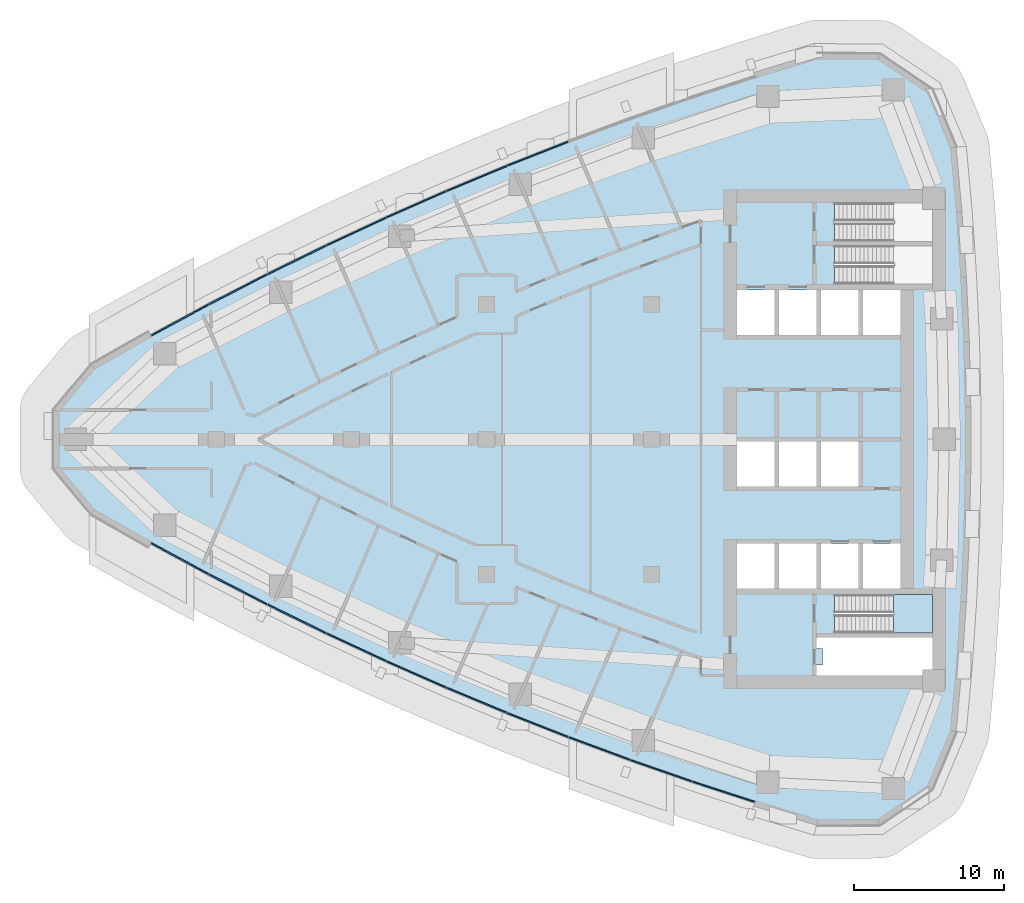
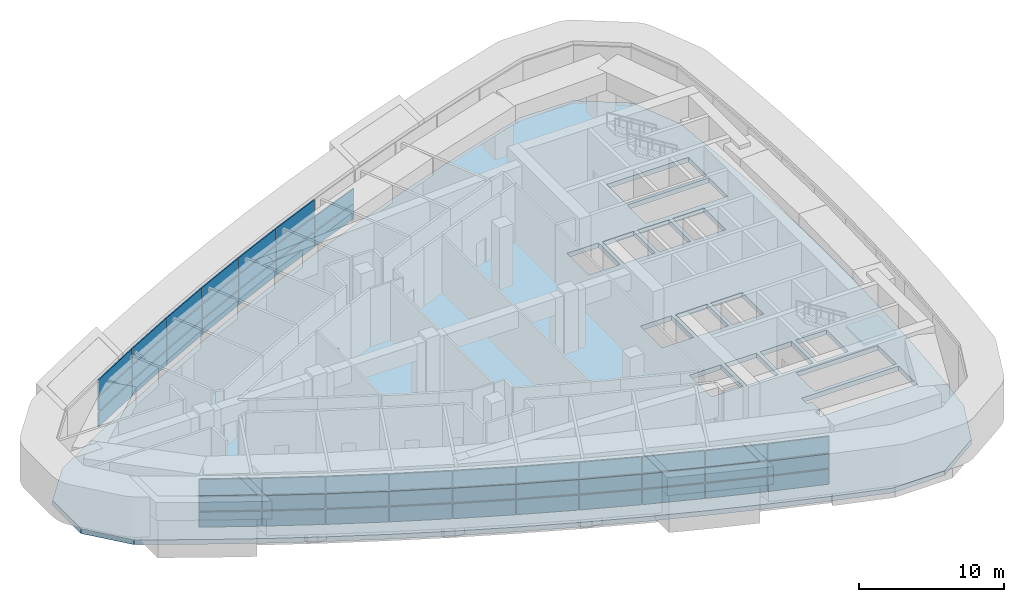
# One storey, part 9 of 18: 50 plates, 2 slabs, 1 opening, 10 elements without a shape of their own.
"""IFC4 building model written with IfcOpenShell, lengths in metres."""

from ifc_helpers import new_model, si_unit, direction, frame, origin, origin_2d, place, context, subcontext, project, spatial, polyline, rectangle, outline, extrude, material, layer, layer_set, type_object, element, aggregate, save


model = new_model("IFC4")

# Units and contexts
model_context = context("Model", 3, precision=1e-05, world=origin(), true_north=direction((0.0, 1.0)))
body_context = subcontext(model_context, "Body", "Model", "MODEL_VIEW")
ifc_project = project(units=[si_unit("LENGTHUNIT", "METRE"), si_unit("AREAUNIT", "SQUARE_METRE"), si_unit("VOLUMEUNIT", "CUBIC_METRE"), si_unit("PLANEANGLEUNIT", "RADIAN"), si_unit("MASSUNIT", "GRAM", prefix="KILO")], contexts=[model_context])

# Site, building, storey
site_placement = place(None, origin())
site = spatial("IfcSite", under=ifc_project, at=site_placement, CompositionType="ELEMENT")
building_placement = place(site_placement, origin())
building = spatial("IfcBuilding", under=site, at=building_placement, Name="Ostrand Prow Hotel Tower", CompositionType="ELEMENT")
storey_placement = place(building_placement, frame((0.0, 0.0, 165.699951171875)))
storey = spatial("IfcBuildingStorey", under=building, at=storey_placement, Name="L41", CompositionType="ELEMENT", Elevation=165.699951171875)

# Curtain wall, plates
ifc_material_1 = material(Name="Insulated glass in bronze anodised frame", Category="glass")
ifc_layer_1 = layer(ifc_material_1, 0.199951171875)
ifc_layer_set_1 = layer_set([ifc_layer_1], Name="Insulated glass in bronze anodised frame")
curtain_wall_type = type_object("IfcCurtainWallType", Name="Plant storey louvre wall", PredefinedType="NOTDEFINED", material=ifc_layer_set_1)
curtain_wall_1_placement = place(storey_placement, origin())
curtain_wall_1 = element("IfcCurtainWall", 1, at=curtain_wall_1_placement, inside=storey, type_object=curtain_wall_type, Name="CW7 run CWS1", PredefinedType="NOTDEFINED")
ifc_material_2 = material(Name="Bronze anodised aluminium louvre", Category="aluminium")
ifc_layer_2 = layer(ifc_material_2, 0.10009765625)
ifc_layer_set_2 = layer_set([ifc_layer_2], Name="Bronze anodised aluminium louvre")
plate_type = type_object("IfcPlateType", Name="Bronze louvre panel 100 mm", PredefinedType="CURTAIN_PANEL", material=ifc_layer_set_2)
plate_1_placement = place(storey_placement, frame((13.572509765625, -7.951904296875, 0.89990234375), z_axis=(0.0, 0.0, 1.0), x_axis=(0.879773060847, -0.475393901316, 0.0)))
plate_1 = element("IfcPlate", 2, at=plate_1_placement, type_object=plate_type, Name="CW7 PN-V panel 1.1", PredefinedType="CURTAIN_PANEL", context=body_context, shape_type="SweptSolid", body=[
    extrude(rectangle(XDim=4.326171875, YDim=0.10009765625, at=origin_2d()), origin(), (0.0, 0.0, 1.0), 1.239990234375),
])
plate_2_placement = place(storey_placement, frame((13.572509765625, -7.951904296875, 2.26025390625), z_axis=(0.0, 0.0, 1.0), x_axis=(0.879773060847, -0.475393901316, 0.0)))
plate_2 = element("IfcPlate", 3, at=plate_2_placement, type_object=plate_type, Name="CW7 PN-V panel 1.2", PredefinedType="CURTAIN_PANEL", context=body_context, shape_type="SweptSolid", body=[
    extrude(rectangle(XDim=4.326171875, YDim=0.10009765625, at=origin_2d()), origin(), (0.0, 0.0, 1.0), 1.179931640625),
])
plate_3_placement = place(storey_placement, frame((13.572509765625, -7.951904296875, 3.56005859375), z_axis=(0.0, 0.0, 1.0), x_axis=(0.879773060847, -0.475393901316, 0.0)))
plate_3 = element("IfcPlate", 4, at=plate_3_placement, type_object=plate_type, Name="CW7 PN-V panel 1.3", PredefinedType="CURTAIN_PANEL", context=body_context, shape_type="SweptSolid", body=[
    extrude(rectangle(XDim=4.326171875, YDim=0.10009765625, at=origin_2d()), origin(), (0.0, 0.0, 1.0), 1.340087890625),
])
plate_4_placement = place(storey_placement, frame((17.45166015625, -9.998046875, 0.89990234375), z_axis=(0.0, 0.0, 1.0), x_axis=(0.889148164146, -0.457619429434, 0.0)))
plate_4 = element("IfcPlate", 5, at=plate_4_placement, type_object=plate_type, Name="CW7 PN-V panel 2.1", PredefinedType="CURTAIN_PANEL", context=body_context, shape_type="SweptSolid", body=[
    extrude(rectangle(XDim=4.326171875, YDim=0.10009765625, at=origin_2d()), origin(), (0.0, 0.0, 1.0), 1.239990234375),
])
plate_5_placement = place(storey_placement, frame((17.45166015625, -9.998046875, 2.26025390625), z_axis=(0.0, 0.0, 1.0), x_axis=(0.889148164146, -0.457619429434, 0.0)))
plate_5 = element("IfcPlate", 6, at=plate_5_placement, type_object=plate_type, Name="CW7 PN-V panel 2.2", PredefinedType="CURTAIN_PANEL", context=body_context, shape_type="SweptSolid", body=[
    extrude(rectangle(XDim=4.326171875, YDim=0.10009765625, at=origin_2d()), origin(), (0.0, 0.0, 1.0), 1.179931640625),
])
plate_6_placement = place(storey_placement, frame((17.45166015625, -9.998046875, 3.56005859375), z_axis=(0.0, 0.0, 1.0), x_axis=(0.889148164146, -0.457619429434, 0.0)))
plate_6 = element("IfcPlate", 7, at=plate_6_placement, type_object=plate_type, Name="CW7 PN-V panel 2.3", PredefinedType="CURTAIN_PANEL", context=body_context, shape_type="SweptSolid", body=[
    extrude(rectangle(XDim=4.326171875, YDim=0.10009765625, at=origin_2d()), origin(), (0.0, 0.0, 1.0), 1.340087890625),
])
aggregate(curtain_wall_1, [plate_1, plate_2, plate_3, plate_4, plate_5, plate_6])

curtain_wall_2_placement = place(storey_placement, origin())
curtain_wall_2 = element("IfcCurtainWall", 8, at=curtain_wall_2_placement, inside=storey, type_object=curtain_wall_type, Name="CW7 run CWS2", PredefinedType="NOTDEFINED")
plate_7_placement = place(storey_placement, frame((21.371337890625, -11.9658203125, 0.89990234375), z_axis=(0.0, 0.0, 1.0), x_axis=(0.898164975061, -0.439658592061, 0.0)))
plate_7 = element("IfcPlate", 9, at=plate_7_placement, type_object=plate_type, Name="CW7 PN-V panel 1.1", PredefinedType="CURTAIN_PANEL", context=body_context, shape_type="SweptSolid", body=[
    extrude(rectangle(XDim=4.326171875, YDim=0.10009765625, at=origin_2d()), origin(), (0.0, 0.0, 1.0), 1.239990234375),
])
plate_8_placement = place(storey_placement, frame((21.371337890625, -11.9658203125, 2.26025390625), z_axis=(0.0, 0.0, 1.0), x_axis=(0.898164975061, -0.439658592061, 0.0)))
plate_8 = element("IfcPlate", 10, at=plate_8_placement, type_object=plate_type, Name="CW7 PN-V panel 1.2", PredefinedType="CURTAIN_PANEL", context=body_context, shape_type="SweptSolid", body=[
    extrude(rectangle(XDim=4.326171875, YDim=0.10009765625, at=origin_2d()), origin(), (0.0, 0.0, 1.0), 1.179931640625),
])
plate_9_placement = place(storey_placement, frame((21.371337890625, -11.9658203125, 3.56005859375), z_axis=(0.0, 0.0, 1.0), x_axis=(0.898164975061, -0.439658592061, 0.0)))
plate_9 = element("IfcPlate", 11, at=plate_9_placement, type_object=plate_type, Name="CW7 PN-V panel 1.3", PredefinedType="CURTAIN_PANEL", context=body_context, shape_type="SweptSolid", body=[
    extrude(rectangle(XDim=4.326171875, YDim=0.10009765625, at=origin_2d()), origin(), (0.0, 0.0, 1.0), 1.340087890625),
])
plate_10_placement = place(storey_placement, frame((25.329833984375, -13.8544921875, 0.89990234375), z_axis=(0.0, 0.0, 1.0), x_axis=(0.906818286337, -0.421521761673, 0.0)))
plate_10 = element("IfcPlate", 12, at=plate_10_placement, type_object=plate_type, Name="CW7 PN-V panel 2.1", PredefinedType="CURTAIN_PANEL", context=body_context, shape_type="SweptSolid", body=[
    extrude(rectangle(XDim=4.326171875, YDim=0.10009765625, at=origin_2d()), origin(), (0.0, 0.0, 1.0), 1.239990234375),
])
plate_11_placement = place(storey_placement, frame((25.329833984375, -13.8544921875, 2.26025390625), z_axis=(0.0, 0.0, 1.0), x_axis=(0.906818286337, -0.421521761673, 0.0)))
plate_11 = element("IfcPlate", 13, at=plate_11_placement, type_object=plate_type, Name="CW7 PN-V panel 2.2", PredefinedType="CURTAIN_PANEL", context=body_context, shape_type="SweptSolid", body=[
    extrude(rectangle(XDim=4.326171875, YDim=0.10009765625, at=origin_2d()), origin(), (0.0, 0.0, 1.0), 1.179931640625),
])
plate_12_placement = place(storey_placement, frame((25.329833984375, -13.8544921875, 3.56005859375), z_axis=(0.0, 0.0, 1.0), x_axis=(0.906818286337, -0.421521761673, 0.0)))
plate_12 = element("IfcPlate", 14, at=plate_12_placement, type_object=plate_type, Name="CW7 PN-V panel 2.3", PredefinedType="CURTAIN_PANEL", context=body_context, shape_type="SweptSolid", body=[
    extrude(rectangle(XDim=4.326171875, YDim=0.10009765625, at=origin_2d()), origin(), (0.0, 0.0, 1.0), 1.340087890625),
])
aggregate(curtain_wall_2, [plate_7, plate_8, plate_9, plate_10, plate_11, plate_12])

curtain_wall_3_placement = place(storey_placement, origin())
curtain_wall_3 = element("IfcCurtainWall", 15, at=curtain_wall_3_placement, inside=storey, type_object=curtain_wall_type, Name="CW7 run CWS3", PredefinedType="NOTDEFINED")
plate_13_placement = place(storey_placement, frame((29.3251953125, -15.6630859375, 0.89990234375), z_axis=(0.0, 0.0, 1.0), x_axis=(0.915106105993, -0.403213113347, 0.0)))
plate_13 = element("IfcPlate", 16, at=plate_13_placement, type_object=plate_type, Name="CW7 PN-V panel 1.1", PredefinedType="CURTAIN_PANEL", context=body_context, shape_type="SweptSolid", body=[
    extrude(rectangle(XDim=4.326171875, YDim=0.10009765625, at=origin_2d()), origin(), (0.0, 0.0, 1.0), 1.239990234375),
])
plate_14_placement = place(storey_placement, frame((29.3251953125, -15.6630859375, 2.26025390625), z_axis=(0.0, 0.0, 1.0), x_axis=(0.915106105993, -0.403213113347, 0.0)))
plate_14 = element("IfcPlate", 17, at=plate_14_placement, type_object=plate_type, Name="CW7 PN-V panel 1.2", PredefinedType="CURTAIN_PANEL", context=body_context, shape_type="SweptSolid", body=[
    extrude(rectangle(XDim=4.326171875, YDim=0.10009765625, at=origin_2d()), origin(), (0.0, 0.0, 1.0), 1.179931640625),
])
plate_15_placement = place(storey_placement, frame((29.3251953125, -15.6630859375, 3.56005859375), z_axis=(0.0, 0.0, 1.0), x_axis=(0.915106105993, -0.403213113347, 0.0)))
plate_15 = element("IfcPlate", 18, at=plate_15_placement, type_object=plate_type, Name="CW7 PN-V panel 1.3", PredefinedType="CURTAIN_PANEL", context=body_context, shape_type="SweptSolid", body=[
    extrude(rectangle(XDim=4.326171875, YDim=0.10009765625, at=origin_2d()), origin(), (0.0, 0.0, 1.0), 1.340087890625),
])
plate_16_placement = place(storey_placement, frame((33.3564453125, -17.39111328125, 0.89990234375), z_axis=(0.0, 0.0, 1.0), x_axis=(0.92302364777, -0.384743220418, 0.0)))
plate_16 = element("IfcPlate", 19, at=plate_16_placement, type_object=plate_type, Name="CW7 PN-V panel 2.1", PredefinedType="CURTAIN_PANEL", context=body_context, shape_type="SweptSolid", body=[
    extrude(rectangle(XDim=4.326171875, YDim=0.10009765625, at=origin_2d()), origin(), (0.0, 0.0, 1.0), 1.239990234375),
])
plate_17_placement = place(storey_placement, frame((33.3564453125, -17.39111328125, 2.26025390625), z_axis=(0.0, 0.0, 1.0), x_axis=(0.92302364777, -0.384743220418, 0.0)))
plate_17 = element("IfcPlate", 20, at=plate_17_placement, type_object=plate_type, Name="CW7 PN-V panel 2.2", PredefinedType="CURTAIN_PANEL", context=body_context, shape_type="SweptSolid", body=[
    extrude(rectangle(XDim=4.326171875, YDim=0.10009765625, at=origin_2d()), origin(), (0.0, 0.0, 1.0), 1.179931640625),
])
plate_18_placement = place(storey_placement, frame((33.3564453125, -17.39111328125, 3.56005859375), z_axis=(0.0, 0.0, 1.0), x_axis=(0.92302364777, -0.384743220418, 0.0)))
plate_18 = element("IfcPlate", 21, at=plate_18_placement, type_object=plate_type, Name="CW7 PN-V panel 2.3", PredefinedType="CURTAIN_PANEL", context=body_context, shape_type="SweptSolid", body=[
    extrude(rectangle(XDim=4.326171875, YDim=0.10009765625, at=origin_2d()), origin(), (0.0, 0.0, 1.0), 1.340087890625),
])
aggregate(curtain_wall_3, [plate_13, plate_14, plate_15, plate_16, plate_17, plate_18])

curtain_wall_4_placement = place(storey_placement, origin())
curtain_wall_4 = element("IfcCurtainWall", 22, at=curtain_wall_4_placement, inside=storey, type_object=curtain_wall_type, Name="CW7 run CWS4", PredefinedType="NOTDEFINED")
plate_19_placement = place(storey_placement, frame((37.42138671875, -19.037841796875, 0.89990234375), z_axis=(0.0, 0.0, 1.0), x_axis=(0.930569089059, -0.366116334636, 0.0)))
plate_19 = element("IfcPlate", 23, at=plate_19_placement, type_object=plate_type, Name="CW7 PN-V panel 1.1", PredefinedType="CURTAIN_PANEL", context=body_context, shape_type="SweptSolid", body=[
    extrude(rectangle(XDim=4.326171875, YDim=0.10009765625, at=origin_2d()), origin(), (0.0, 0.0, 1.0), 1.239990234375),
])
plate_20_placement = place(storey_placement, frame((37.42138671875, -19.037841796875, 2.26025390625), z_axis=(0.0, 0.0, 1.0), x_axis=(0.930569089059, -0.366116334636, 0.0)))
plate_20 = element("IfcPlate", 24, at=plate_20_placement, type_object=plate_type, Name="CW7 PN-V panel 1.2", PredefinedType="CURTAIN_PANEL", context=body_context, shape_type="SweptSolid", body=[
    extrude(rectangle(XDim=4.326171875, YDim=0.10009765625, at=origin_2d()), origin(), (0.0, 0.0, 1.0), 1.179931640625),
])
plate_21_placement = place(storey_placement, frame((37.42138671875, -19.037841796875, 3.56005859375), z_axis=(0.0, 0.0, 1.0), x_axis=(0.930569089059, -0.366116334636, 0.0)))
plate_21 = element("IfcPlate", 25, at=plate_21_placement, type_object=plate_type, Name="CW7 PN-V panel 1.3", PredefinedType="CURTAIN_PANEL", context=body_context, shape_type="SweptSolid", body=[
    extrude(rectangle(XDim=4.326171875, YDim=0.10009765625, at=origin_2d()), origin(), (0.0, 0.0, 1.0), 1.340087890625),
])
plate_22_placement = place(storey_placement, frame((41.518798828125, -20.6025390625, 0.89990234375), z_axis=(0.0, 0.0, 1.0), x_axis=(0.937738678558, -0.347341576459, 0.0)))
plate_22 = element("IfcPlate", 26, at=plate_22_placement, type_object=plate_type, Name="CW7 PN-V panel 2.1", PredefinedType="CURTAIN_PANEL", context=body_context, shape_type="SweptSolid", body=[
    extrude(rectangle(XDim=4.326171875, YDim=0.10009765625, at=origin_2d()), origin(), (0.0, 0.0, 1.0), 1.239990234375),
])
plate_23_placement = place(storey_placement, frame((41.518798828125, -20.6025390625, 2.26025390625), z_axis=(0.0, 0.0, 1.0), x_axis=(0.937738678558, -0.347341576459, 0.0)))
plate_23 = element("IfcPlate", 27, at=plate_23_placement, type_object=plate_type, Name="CW7 PN-V panel 2.2", PredefinedType="CURTAIN_PANEL", context=body_context, shape_type="SweptSolid", body=[
    extrude(rectangle(XDim=4.326171875, YDim=0.10009765625, at=origin_2d()), origin(), (0.0, 0.0, 1.0), 1.179931640625),
])
plate_24_placement = place(storey_placement, frame((41.518798828125, -20.6025390625, 3.56005859375), z_axis=(0.0, 0.0, 1.0), x_axis=(0.937738678558, -0.347341576459, 0.0)))
plate_24 = element("IfcPlate", 28, at=plate_24_placement, type_object=plate_type, Name="CW7 PN-V panel 2.3", PredefinedType="CURTAIN_PANEL", context=body_context, shape_type="SweptSolid", body=[
    extrude(rectangle(XDim=4.326171875, YDim=0.10009765625, at=origin_2d()), origin(), (0.0, 0.0, 1.0), 1.340087890625),
])
aggregate(curtain_wall_4, [plate_19, plate_20, plate_21, plate_22, plate_23, plate_24])

curtain_wall_5_placement = place(storey_placement, origin())
curtain_wall_5 = element("IfcCurtainWall", 29, at=curtain_wall_5_placement, inside=storey, type_object=curtain_wall_type, Name="CW7 run CWS5", PredefinedType="NOTDEFINED")
plate_25_placement = place(storey_placement, frame((45.646484375, -22.08447265625, 0.89990234375), z_axis=(0.0, 0.0, 1.0), x_axis=(0.944528947293, -0.328428177424, 0.0)))
plate_25 = element("IfcPlate", 30, at=plate_25_placement, type_object=plate_type, Name="CW7 PN-V panel 1.1", PredefinedType="CURTAIN_PANEL", context=body_context, shape_type="SweptSolid", body=[
    extrude(rectangle(XDim=4.326171875, YDim=0.10009765625, at=origin_2d()), origin(), (0.0, 0.0, 1.0), 1.239990234375),
])
plate_26_placement = place(storey_placement, frame((45.646484375, -22.08447265625, 2.26025390625), z_axis=(0.0, 0.0, 1.0), x_axis=(0.944528947293, -0.328428177424, 0.0)))
plate_26 = element("IfcPlate", 31, at=plate_26_placement, type_object=plate_type, Name="CW7 PN-V panel 1.2", PredefinedType="CURTAIN_PANEL", context=body_context, shape_type="SweptSolid", body=[
    extrude(rectangle(XDim=4.326171875, YDim=0.10009765625, at=origin_2d()), origin(), (0.0, 0.0, 1.0), 1.179931640625),
])
plate_27_placement = place(storey_placement, frame((45.646484375, -22.08447265625, 3.56005859375), z_axis=(0.0, 0.0, 1.0), x_axis=(0.944528947293, -0.328428177424, 0.0)))
plate_27 = element("IfcPlate", 32, at=plate_27_placement, type_object=plate_type, Name="CW7 PN-V panel 1.3", PredefinedType="CURTAIN_PANEL", context=body_context, shape_type="SweptSolid", body=[
    extrude(rectangle(XDim=4.326171875, YDim=0.10009765625, at=origin_2d()), origin(), (0.0, 0.0, 1.0), 1.340087890625),
])
plate_28_placement = place(storey_placement, frame((49.803466796875, -23.483154296875, 0.89990234375), z_axis=(0.0, 0.0, 1.0), x_axis=(0.950938332153, -0.309380491373, 0.0)))
plate_28 = element("IfcPlate", 33, at=plate_28_placement, type_object=plate_type, Name="CW7 PN-V panel 2.1", PredefinedType="CURTAIN_PANEL", context=body_context, shape_type="SweptSolid", body=[
    extrude(rectangle(XDim=4.326171875, YDim=0.10009765625, at=origin_2d()), origin(), (0.0, 0.0, 1.0), 1.239990234375),
])
plate_29_placement = place(storey_placement, frame((49.803466796875, -23.483154296875, 2.26025390625), z_axis=(0.0, 0.0, 1.0), x_axis=(0.950938332153, -0.309380491373, 0.0)))
plate_29 = element("IfcPlate", 34, at=plate_29_placement, type_object=plate_type, Name="CW7 PN-V panel 2.2", PredefinedType="CURTAIN_PANEL", context=body_context, shape_type="SweptSolid", body=[
    extrude(rectangle(XDim=4.326171875, YDim=0.10009765625, at=origin_2d()), origin(), (0.0, 0.0, 1.0), 1.179931640625),
])
plate_30_placement = place(storey_placement, frame((49.803466796875, -23.483154296875, 3.56005859375), z_axis=(0.0, 0.0, 1.0), x_axis=(0.950938332153, -0.309380491373, 0.0)))
plate_30 = element("IfcPlate", 35, at=plate_30_placement, type_object=plate_type, Name="CW7 PN-V panel 2.3", PredefinedType="CURTAIN_PANEL", context=body_context, shape_type="SweptSolid", body=[
    extrude(rectangle(XDim=4.326171875, YDim=0.10009765625, at=origin_2d()), origin(), (0.0, 0.0, 1.0), 1.340087890625),
])
aggregate(curtain_wall_5, [plate_25, plate_26, plate_27, plate_28, plate_29, plate_30])

curtain_wall_6_placement = place(storey_placement, origin())
curtain_wall_6 = element("IfcCurtainWall", 36, at=curtain_wall_6_placement, inside=storey, type_object=curtain_wall_type, Name="CW7 run CWN2", PredefinedType="NOTDEFINED")
plate_31_placement = place(storey_placement, frame((37.42138671875, 19.037841796875, 0.89990234375), z_axis=(0.0, 0.0, 1.0), x_axis=(-0.930569089059, -0.366116334636, 0.0)))
plate_31 = element("IfcPlate", 37, at=plate_31_placement, type_object=plate_type, Name="CW7 PN-V panel 2.1", PredefinedType="CURTAIN_PANEL", context=body_context, shape_type="SweptSolid", body=[
    extrude(rectangle(XDim=4.326171875, YDim=0.10009765625, at=origin_2d()), origin(), (0.0, 0.0, 1.0), 1.239990234375),
])
plate_32_placement = place(storey_placement, frame((37.42138671875, 19.037841796875, 2.26025390625), z_axis=(0.0, 0.0, 1.0), x_axis=(-0.930569089059, -0.366116334636, 0.0)))
plate_32 = element("IfcPlate", 38, at=plate_32_placement, type_object=plate_type, Name="CW7 PN-V panel 2.2", PredefinedType="CURTAIN_PANEL", context=body_context, shape_type="SweptSolid", body=[
    extrude(rectangle(XDim=4.326171875, YDim=0.10009765625, at=origin_2d()), origin(), (0.0, 0.0, 1.0), 1.179931640625),
])
aggregate(curtain_wall_6, [plate_31, plate_32])

curtain_wall_7_placement = place(storey_placement, origin())
curtain_wall_7 = element("IfcCurtainWall", 39, at=curtain_wall_7_placement, inside=storey, type_object=curtain_wall_type, Name="CW7 run CWN3", PredefinedType="NOTDEFINED")
plate_33_placement = place(storey_placement, frame((33.3564453125, 17.39111328125, 0.89990234375), z_axis=(0.0, 0.0, 1.0), x_axis=(-0.92302364777, -0.384743220418, 0.0)))
plate_33 = element("IfcPlate", 40, at=plate_33_placement, type_object=plate_type, Name="CW7 PN-V panel 1.1", PredefinedType="CURTAIN_PANEL", context=body_context, shape_type="SweptSolid", body=[
    extrude(rectangle(XDim=4.326171875, YDim=0.10009765625, at=origin_2d()), origin(), (0.0, 0.0, 1.0), 1.239990234375),
])
plate_34_placement = place(storey_placement, frame((33.3564453125, 17.39111328125, 2.26025390625), z_axis=(0.0, 0.0, 1.0), x_axis=(-0.92302364777, -0.384743220418, 0.0)))
plate_34 = element("IfcPlate", 41, at=plate_34_placement, type_object=plate_type, Name="CW7 PN-V panel 1.2", PredefinedType="CURTAIN_PANEL", context=body_context, shape_type="SweptSolid", body=[
    extrude(rectangle(XDim=4.326171875, YDim=0.10009765625, at=origin_2d()), origin(), (0.0, 0.0, 1.0), 1.179931640625),
])
plate_35_placement = place(storey_placement, frame((33.3564453125, 17.39111328125, 3.56005859375), z_axis=(0.0, 0.0, 1.0), x_axis=(-0.92302364777, -0.384743220418, 0.0)))
plate_35 = element("IfcPlate", 42, at=plate_35_placement, type_object=plate_type, Name="CW7 PN-V panel 1.3", PredefinedType="CURTAIN_PANEL", context=body_context, shape_type="SweptSolid", body=[
    extrude(rectangle(XDim=4.326171875, YDim=0.10009765625, at=origin_2d()), origin(), (0.0, 0.0, 1.0), 1.340087890625),
])
plate_36_placement = place(storey_placement, frame((29.3251953125, 15.6630859375, 0.89990234375), z_axis=(0.0, 0.0, 1.0), x_axis=(-0.915106105993, -0.403213113347, 0.0)))
plate_36 = element("IfcPlate", 43, at=plate_36_placement, type_object=plate_type, Name="CW7 PN-V panel 2.1", PredefinedType="CURTAIN_PANEL", context=body_context, shape_type="SweptSolid", body=[
    extrude(rectangle(XDim=4.326171875, YDim=0.10009765625, at=origin_2d()), origin(), (0.0, 0.0, 1.0), 1.239990234375),
])
plate_37_placement = place(storey_placement, frame((29.3251953125, 15.6630859375, 2.26025390625), z_axis=(0.0, 0.0, 1.0), x_axis=(-0.915106105993, -0.403213113347, 0.0)))
plate_37 = element("IfcPlate", 44, at=plate_37_placement, type_object=plate_type, Name="CW7 PN-V panel 2.2", PredefinedType="CURTAIN_PANEL", context=body_context, shape_type="SweptSolid", body=[
    extrude(rectangle(XDim=4.326171875, YDim=0.10009765625, at=origin_2d()), origin(), (0.0, 0.0, 1.0), 1.179931640625),
])
plate_38_placement = place(storey_placement, frame((29.3251953125, 15.6630859375, 3.56005859375), z_axis=(0.0, 0.0, 1.0), x_axis=(-0.915106105993, -0.403213113347, 0.0)))
plate_38 = element("IfcPlate", 45, at=plate_38_placement, type_object=plate_type, Name="CW7 PN-V panel 2.3", PredefinedType="CURTAIN_PANEL", context=body_context, shape_type="SweptSolid", body=[
    extrude(rectangle(XDim=4.326171875, YDim=0.10009765625, at=origin_2d()), origin(), (0.0, 0.0, 1.0), 1.340087890625),
])
aggregate(curtain_wall_7, [plate_33, plate_34, plate_35, plate_36, plate_37, plate_38])

curtain_wall_8_placement = place(storey_placement, origin())
curtain_wall_8 = element("IfcCurtainWall", 46, at=curtain_wall_8_placement, inside=storey, type_object=curtain_wall_type, Name="CW7 run CWN4", PredefinedType="NOTDEFINED")
plate_39_placement = place(storey_placement, frame((25.329833984375, 13.8544921875, 0.89990234375), z_axis=(0.0, 0.0, 1.0), x_axis=(-0.906818286337, -0.421521761673, 0.0)))
plate_39 = element("IfcPlate", 47, at=plate_39_placement, type_object=plate_type, Name="CW7 PN-V panel 1.1", PredefinedType="CURTAIN_PANEL", context=body_context, shape_type="SweptSolid", body=[
    extrude(rectangle(XDim=4.326171875, YDim=0.10009765625, at=origin_2d()), origin(), (0.0, 0.0, 1.0), 1.239990234375),
])
plate_40_placement = place(storey_placement, frame((25.329833984375, 13.8544921875, 2.26025390625), z_axis=(0.0, 0.0, 1.0), x_axis=(-0.906818286337, -0.421521761673, 0.0)))
plate_40 = element("IfcPlate", 48, at=plate_40_placement, type_object=plate_type, Name="CW7 PN-V panel 1.2", PredefinedType="CURTAIN_PANEL", context=body_context, shape_type="SweptSolid", body=[
    extrude(rectangle(XDim=4.326171875, YDim=0.10009765625, at=origin_2d()), origin(), (0.0, 0.0, 1.0), 1.179931640625),
])
plate_41_placement = place(storey_placement, frame((25.329833984375, 13.8544921875, 3.56005859375), z_axis=(0.0, 0.0, 1.0), x_axis=(-0.906818286337, -0.421521761673, 0.0)))
plate_41 = element("IfcPlate", 49, at=plate_41_placement, type_object=plate_type, Name="CW7 PN-V panel 1.3", PredefinedType="CURTAIN_PANEL", context=body_context, shape_type="SweptSolid", body=[
    extrude(rectangle(XDim=4.326171875, YDim=0.10009765625, at=origin_2d()), origin(), (0.0, 0.0, 1.0), 1.340087890625),
])
plate_42_placement = place(storey_placement, frame((21.371337890625, 11.9658203125, 0.89990234375), z_axis=(0.0, 0.0, 1.0), x_axis=(-0.898164975061, -0.439658592061, 0.0)))
plate_42 = element("IfcPlate", 50, at=plate_42_placement, type_object=plate_type, Name="CW7 PN-V panel 2.1", PredefinedType="CURTAIN_PANEL", context=body_context, shape_type="SweptSolid", body=[
    extrude(rectangle(XDim=4.326171875, YDim=0.10009765625, at=origin_2d()), origin(), (0.0, 0.0, 1.0), 1.239990234375),
])
plate_43_placement = place(storey_placement, frame((21.371337890625, 11.9658203125, 2.26025390625), z_axis=(0.0, 0.0, 1.0), x_axis=(-0.898164975061, -0.439658592061, 0.0)))
plate_43 = element("IfcPlate", 51, at=plate_43_placement, type_object=plate_type, Name="CW7 PN-V panel 2.2", PredefinedType="CURTAIN_PANEL", context=body_context, shape_type="SweptSolid", body=[
    extrude(rectangle(XDim=4.326171875, YDim=0.10009765625, at=origin_2d()), origin(), (0.0, 0.0, 1.0), 1.179931640625),
])
plate_44_placement = place(storey_placement, frame((21.371337890625, 11.9658203125, 3.56005859375), z_axis=(0.0, 0.0, 1.0), x_axis=(-0.898164975061, -0.439658592061, 0.0)))
plate_44 = element("IfcPlate", 52, at=plate_44_placement, type_object=plate_type, Name="CW7 PN-V panel 2.3", PredefinedType="CURTAIN_PANEL", context=body_context, shape_type="SweptSolid", body=[
    extrude(rectangle(XDim=4.326171875, YDim=0.10009765625, at=origin_2d()), origin(), (0.0, 0.0, 1.0), 1.340087890625),
])
aggregate(curtain_wall_8, [plate_39, plate_40, plate_41, plate_42, plate_43, plate_44])

curtain_wall_9_placement = place(storey_placement, origin())
curtain_wall_9 = element("IfcCurtainWall", 53, at=curtain_wall_9_placement, inside=storey, type_object=curtain_wall_type, Name="CW7 run CWN5", PredefinedType="NOTDEFINED")
plate_45_placement = place(storey_placement, frame((17.45166015625, 9.998046875, 0.89990234375), z_axis=(0.0, 0.0, 1.0), x_axis=(-0.889148164146, -0.457619429434, 0.0)))
plate_45 = element("IfcPlate", 54, at=plate_45_placement, type_object=plate_type, Name="CW7 PN-V panel 1.1", PredefinedType="CURTAIN_PANEL", context=body_context, shape_type="SweptSolid", body=[
    extrude(rectangle(XDim=4.326171875, YDim=0.10009765625, at=origin_2d()), origin(), (0.0, 0.0, 1.0), 1.239990234375),
])
plate_46_placement = place(storey_placement, frame((17.45166015625, 9.998046875, 2.26025390625), z_axis=(0.0, 0.0, 1.0), x_axis=(-0.889148164146, -0.457619429434, 0.0)))
plate_46 = element("IfcPlate", 55, at=plate_46_placement, type_object=plate_type, Name="CW7 PN-V panel 1.2", PredefinedType="CURTAIN_PANEL", context=body_context, shape_type="SweptSolid", body=[
    extrude(rectangle(XDim=4.326171875, YDim=0.10009765625, at=origin_2d()), origin(), (0.0, 0.0, 1.0), 1.179931640625),
])
plate_47_placement = place(storey_placement, frame((17.45166015625, 9.998046875, 3.56005859375), z_axis=(0.0, 0.0, 1.0), x_axis=(-0.889148164146, -0.457619429434, 0.0)))
plate_47 = element("IfcPlate", 56, at=plate_47_placement, type_object=plate_type, Name="CW7 PN-V panel 1.3", PredefinedType="CURTAIN_PANEL", context=body_context, shape_type="SweptSolid", body=[
    extrude(rectangle(XDim=4.326171875, YDim=0.10009765625, at=origin_2d()), origin(), (0.0, 0.0, 1.0), 1.340087890625),
])
plate_48_placement = place(storey_placement, frame((13.572509765625, 7.951904296875, 0.89990234375), z_axis=(0.0, 0.0, 1.0), x_axis=(-0.879773060847, -0.475393901316, 0.0)))
plate_48 = element("IfcPlate", 57, at=plate_48_placement, type_object=plate_type, Name="CW7 PN-V panel 2.1", PredefinedType="CURTAIN_PANEL", context=body_context, shape_type="SweptSolid", body=[
    extrude(rectangle(XDim=4.326171875, YDim=0.10009765625, at=origin_2d()), origin(), (0.0, 0.0, 1.0), 1.239990234375),
])
plate_49_placement = place(storey_placement, frame((13.572509765625, 7.951904296875, 2.26025390625), z_axis=(0.0, 0.0, 1.0), x_axis=(-0.879773060847, -0.475393901316, 0.0)))
plate_49 = element("IfcPlate", 58, at=plate_49_placement, type_object=plate_type, Name="CW7 PN-V panel 2.2", PredefinedType="CURTAIN_PANEL", context=body_context, shape_type="SweptSolid", body=[
    extrude(rectangle(XDim=4.326171875, YDim=0.10009765625, at=origin_2d()), origin(), (0.0, 0.0, 1.0), 1.179931640625),
])
plate_50_placement = place(storey_placement, frame((13.572509765625, 7.951904296875, 3.56005859375), z_axis=(0.0, 0.0, 1.0), x_axis=(-0.879773060847, -0.475393901316, 0.0)))
plate_50 = element("IfcPlate", 59, at=plate_50_placement, type_object=plate_type, Name="CW7 PN-V panel 2.3", PredefinedType="CURTAIN_PANEL", context=body_context, shape_type="SweptSolid", body=[
    extrude(rectangle(XDim=4.326171875, YDim=0.10009765625, at=origin_2d()), origin(), (0.0, 0.0, 1.0), 1.340087890625),
])
aggregate(curtain_wall_9, [plate_45, plate_46, plate_47, plate_48, plate_49, plate_50])

# Slab, opening
ifc_material_3 = material(Name="Concrete C40/50", Category="concrete")
ifc_layer_3 = layer(ifc_material_3, 0.39990234375)
ifc_layer_set_3 = layer_set([ifc_layer_3], Name="Concrete C40/50")
slab_type_1 = type_object("IfcSlabType", Name="PT flat plate 400 C40/50", PredefinedType="FLOOR", material=ifc_layer_set_3)
slab_1_placement = place(storey_placement, frame((0.0, 0.0, -0.39990234375)))
slab_1 = element("IfcSlab", 60, at=slab_1_placement, inside=storey, type_object=slab_type_1, Name="Floor slab L41-1", PredefinedType="FLOOR", context=body_context, shape_type="SweptSolid", body=[
    extrude(outline(polyline([(7.658203125, 4.952880859375), (11.51611328125, 7.138916015625), (15.37939453125, 9.2265625), (19.283935546875, 11.236083984375), (23.228271484375, 13.166748046875), (27.210205078125, 15.017822265625), (31.22900390625, 16.788330078125), (35.2822265625, 18.47802734375), (39.36865234375, 20.085693359375), (43.486572265625, 21.611083984375), (47.63427734375, 23.05322265625), (51.810302734375, 24.411865234375), (56.046630859375, 25.696533203125), (60.193115234375, 25.6640625), (63.664306640625, 23.328125), (65.256103515625, 19.498779296875), (65.650390625, 15.148681640625), (65.944091796875, 10.825927734375), (66.139892578125, 6.497802734375), (66.23779296875, 2.166259765625), (66.23779296875, -2.166259765625), (66.139892578125, -6.497802734375), (65.944091796875, -10.825927734375), (65.650390625, -15.148681640625), (65.256103515625, -19.498779296875), (63.664306640625, -23.328125), (60.193115234375, -25.6640625), (56.046630859375, -25.696533203125), (51.810302734375, -24.411865234375), (47.63427734375, -23.05322265625), (43.486572265625, -21.611083984375), (39.36865234375, -20.085693359375), (35.2822265625, -18.47802734375), (31.22900390625, -16.788330078125), (27.210205078125, -15.017822265625), (23.228271484375, -13.166748046875), (19.283935546875, -11.236083984375), (15.37939453125, -9.2265625), (11.51611328125, -7.138916015625), (7.658203125, -4.952880859375), (5.16064453125, -1.968505859375), (5.16064453125, 1.968505859375), (7.658203125, 4.952880859375)]), holes=[polyline([(50.699951171875, 6.949951171875), (53.199951171875, 6.949951171875), (53.199951171875, 9.949951171875), (50.699951171875, 9.949951171875), (50.699951171875, 6.949951171875)]), polyline([(53.5, 6.949951171875), (56.0, 6.949951171875), (56.0, 9.949951171875), (53.5, 9.949951171875), (53.5, 6.949951171875)]), polyline([(56.300048828125, 6.949951171875), (58.800048828125, 6.949951171875), (58.800048828125, 9.949951171875), (56.300048828125, 9.949951171875), (56.300048828125, 6.949951171875)]), polyline([(59.10009765625, 6.949951171875), (61.60009765625, 6.949951171875), (61.60009765625, 9.949951171875), (59.10009765625, 9.949951171875), (59.10009765625, 6.949951171875)]), polyline([(50.699951171875, -3.14990234375), (53.199951171875, -3.14990234375), (53.199951171875, -0.14990234375), (50.699951171875, -0.14990234375), (50.699951171875, -3.14990234375)]), polyline([(53.5, -3.14990234375), (56.0, -3.14990234375), (56.0, -0.14990234375), (53.5, -0.14990234375), (53.5, -3.14990234375)]), polyline([(56.300048828125, -3.14990234375), (58.800048828125, -3.14990234375), (58.800048828125, -0.14990234375), (56.300048828125, -0.14990234375), (56.300048828125, -3.14990234375)]), polyline([(50.699951171875, -9.949951171875), (53.199951171875, -9.949951171875), (53.199951171875, -6.949951171875), (50.699951171875, -6.949951171875), (50.699951171875, -9.949951171875)]), polyline([(53.5, -9.949951171875), (56.0, -9.949951171875), (56.0, -6.949951171875), (53.5, -6.949951171875), (53.5, -9.949951171875)]), polyline([(56.300048828125, -9.949951171875), (58.800048828125, -9.949951171875), (58.800048828125, -6.949951171875), (56.300048828125, -6.949951171875), (56.300048828125, -9.949951171875)]), polyline([(59.10009765625, -9.949951171875), (61.60009765625, -9.949951171875), (61.60009765625, -6.949951171875), (59.10009765625, -6.949951171875), (59.10009765625, -9.949951171875)]), polyline([(57.200927734375, 10.35107421875), (57.200927734375, 12.89892578125), (63.718994140625, 12.89892578125), (63.718994140625, 10.35107421875), (57.200927734375, 10.35107421875)]), polyline([(57.200927734375, 13.200927734375), (57.200927734375, 15.7490234375), (63.718994140625, 15.7490234375), (63.718994140625, 13.200927734375), (57.200927734375, 13.200927734375)]), polyline([(57.200927734375, -12.89892578125), (57.200927734375, -10.35107421875), (63.718994140625, -10.35107421875), (63.718994140625, -12.89892578125), (57.200927734375, -12.89892578125)]), polyline([(56.0, -13.199951171875), (63.719970703125, -13.199951171875), (63.719970703125, -15.75), (56.0, -15.75), (56.0, -15.050048828125), (56.39990234375, -15.050048828125), (56.39990234375, -13.949951171875), (56.0, -13.949951171875), (56.0, -13.199951171875)])]), origin(), (0.0, 0.0, 1.0), 0.39990234375),
])
opening_placement = place(slab_1_placement, origin())
element("IfcOpeningElement", 61, at=opening_placement, cuts=slab_1, Name="Shaft opening 1", PredefinedType="OPENING", context=body_context, shape_type="SweptSolid", body=[
    extrude(outline(polyline([(56.0, -13.199951171875), (63.719970703125, -13.199951171875), (63.719970703125, -15.75), (56.0, -15.75), (56.0, -15.050048828125), (56.39990234375, -15.050048828125), (56.39990234375, -13.949951171875), (56.0, -13.949951171875), (56.0, -13.199951171875)])), origin(), (0.0, 0.0, 1.0), 0.39990234375),
])

# Stair, slab
ifc_material_4 = material(Name="Concrete C40/50", Category="concrete")
stair_type = type_object("IfcStairType", Name="Exit stair 1200 upper zone", PredefinedType="HALF_TURN_STAIR", material=ifc_material_4)
stair_placement = place(storey_placement, origin())
stair = element("IfcStair", 62, at=stair_placement, inside=storey, type_object=stair_type, Name="L41 ST2C", PredefinedType="HALF_TURN_STAIR")
ifc_material_5 = material(Name="Concrete C40/50", Category="concrete")
ifc_layer_4 = layer(ifc_material_5, 0.199951171875)
ifc_layer_set_4 = layer_set([ifc_layer_4], Name="Concrete C40/50")
slab_type_2 = type_object("IfcSlabType", Name="Stair landing 200 concrete", PredefinedType="LANDING", material=ifc_layer_set_4)
slab_2_placement = place(storey_placement, frame((0.0, 0.0, 2.400146484375)))
slab_2 = element("IfcSlab", 63, at=slab_2_placement, type_object=slab_type_2, Name="ST2C landing 1", PredefinedType="LANDING", context=body_context, shape_type="SweptSolid", body=[
    extrude(outline(polyline([(61.1201171875, -12.89990234375), (63.719970703125, -12.89990234375), (63.719970703125, -10.35009765625), (61.1201171875, -10.35009765625), (61.1201171875, -12.89990234375)])), origin(), (0.0, 0.0, 1.0), 0.199951171875),
])
aggregate(stair, [slab_2])

save(model, "model.ifc")
